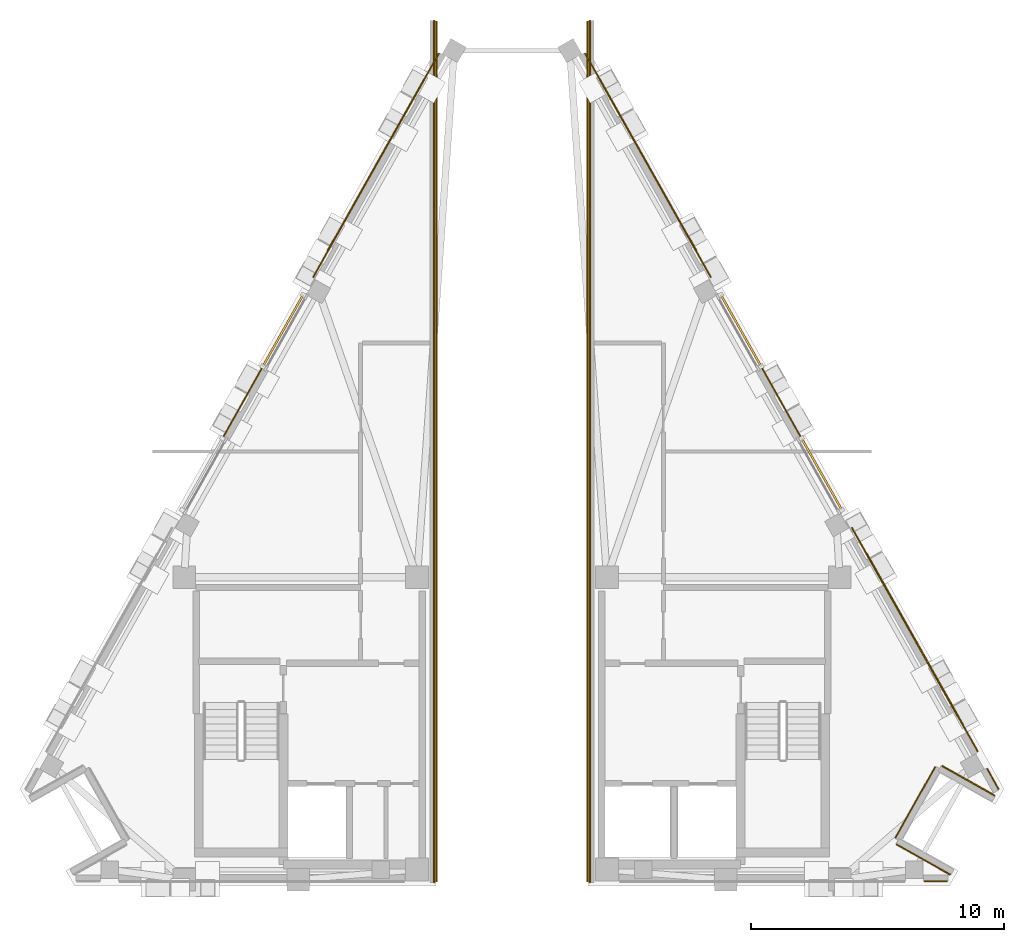
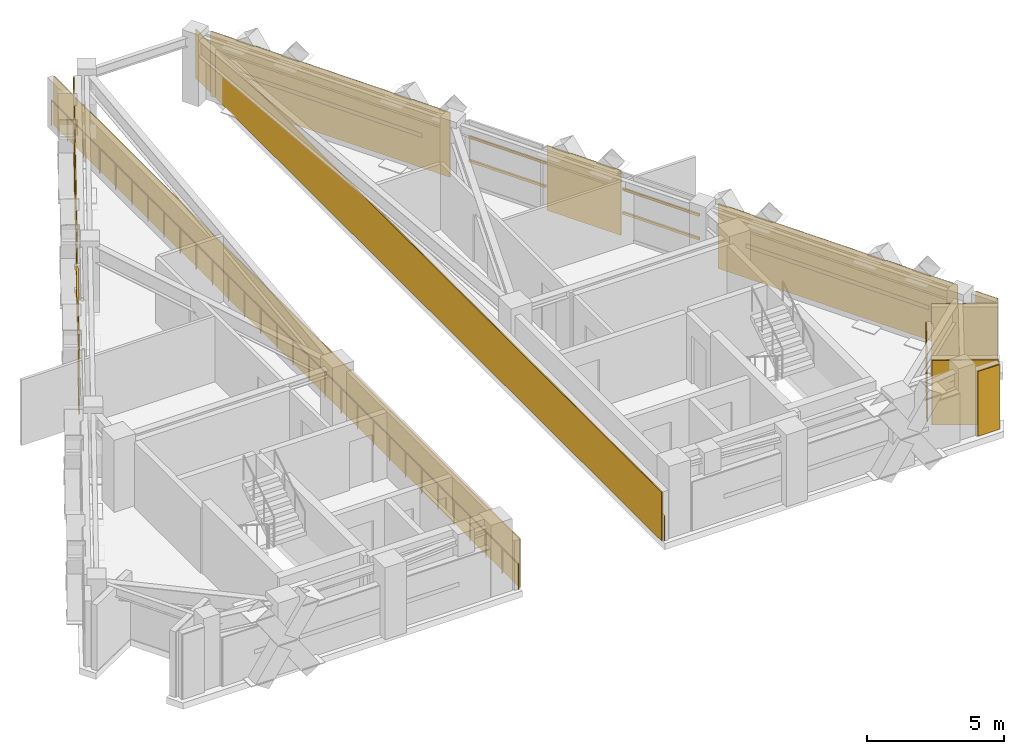
# One storey, part 7 of 7: 12 coverings, 9 shading devices, 2 railings.
"""IFC4 building model written with IfcOpenShell, lengths in metres."""

from ifc_helpers import new_model, si_unit, direction, frame, origin, origin_2d, place, context, subcontext, project, spatial, polyline, rectangle, circle, outline, extrude, material, layer, layer_set, material_profile, profile_set, type_object, element, save


model = new_model("IFC4")

# Units and contexts
model_context = context("Model", 3, precision=1e-05, world=origin(), true_north=direction((0.0, 1.0)))
body_context = subcontext(model_context, "Body", "Model", "MODEL_VIEW")
ifc_project = project(units=[si_unit("LENGTHUNIT", "METRE"), si_unit("AREAUNIT", "SQUARE_METRE"), si_unit("VOLUMEUNIT", "CUBIC_METRE"), si_unit("PLANEANGLEUNIT", "RADIAN"), si_unit("MASSUNIT", "GRAM", prefix="KILO")], contexts=[model_context])

# Site, building, storey
site_placement = place(None, origin())
site = spatial("IfcSite", under=ifc_project, at=site_placement, CompositionType="ELEMENT")
building_placement = place(site_placement, origin())
building = spatial("IfcBuilding", under=site, at=building_placement, Name="Quenlor Broadcast Tower", CompositionType="ELEMENT")
storey_placement = place(building_placement, frame((0.0, 0.0, 274.10009765625)))
storey = spatial("IfcBuildingStorey", under=building, at=storey_placement, Name="L76", CompositionType="ELEMENT", Elevation=274.10009765625)

# Shading devices
ifc_material_1 = material(Name="Architectural Terracotta Ceramic", Category="masonry")
ifc_material_profile_1 = material_profile(ifc_material_1, rectangle(XDim=0.074951171875, YDim=0.110107421875, at=origin_2d()))
ifc_profile_set_1 = profile_set([ifc_material_profile_1], Name="Architectural Terracotta Ceramic BAG75x110")
shading_device_type_1 = type_object("IfcShadingDeviceType", Name="Copper Terracotta Crown Baguette Screen 110", PredefinedType="USERDEFINED", material=ifc_profile_set_1)
for number, where, z_axis, x_axis, name in (
    (1, (8.2529296875, 6.36181640625, 1.051025390625), (0.490261239633, -0.871575537125, 0.0), (0.871575537125, 0.490261239633, 0.0), "L76 Terracotta Baguette Screen 1"),
    (2, (8.2529296875, 6.36181640625, 2.102294921875), (0.490261239633, -0.871575537125, 0.0), (0.871575537125, 0.490261239633, 0.0), "L76 Terracotta Baguette Screen 2"),
):
    element("IfcShadingDevice", number, at=place(storey_placement, frame(where, z_axis=z_axis, x_axis=x_axis)), inside=storey, type_object=shading_device_type_1, Name=name, ObjectType="BAGUETTE", PredefinedType="USERDEFINED", context=body_context, shape_type="SweptSolid", body=[
        extrude(rectangle(XDim=0.074951171875, YDim=0.110107421875, at=origin_2d()), origin(), (0.0, 0.0, 1.0), 3.244873046875),
    ])
for number, where, z_axis, x_axis, name in (
    (3, (11.443115234375, 0.690185546875, 1.051025390625), (0.490293391267, -0.87155745105, 0.0), (0.87155745105, 0.490293391267, 0.0), "L76 Terracotta Baguette Screen 1"),
    (4, (11.443115234375, 0.690185546875, 2.102294921875), (0.490293391267, -0.87155745105, 0.0), (0.87155745105, 0.490293391267, 0.0), "L76 Terracotta Baguette Screen 2"),
):
    element("IfcShadingDevice", number, at=place(storey_placement, frame(where, z_axis=z_axis, x_axis=x_axis)), inside=storey, type_object=shading_device_type_1, Name=name, ObjectType="BAGUETTE", PredefinedType="USERDEFINED", context=body_context, shape_type="SweptSolid", body=[
        extrude(rectangle(XDim=0.074951171875, YDim=0.110107421875, at=origin_2d()), origin(), (0.0, 0.0, 1.0), 3.24462890625),
    ])
for number, where, z_axis, x_axis, name in (
    (5, (-9.84375, 3.53369140625, 1.051025390625), (0.490261239633, 0.871575537125, 0.0), (-0.871575537125, 0.490261239633, 0.0), "L76 Terracotta Baguette Screen 1"),
    (6, (-9.84375, 3.53369140625, 2.102294921875), (0.490261239633, 0.871575537125, 0.0), (-0.871575537125, 0.490261239633, 0.0), "L76 Terracotta Baguette Screen 2"),
):
    element("IfcShadingDevice", number, at=place(storey_placement, frame(where, z_axis=z_axis, x_axis=x_axis)), inside=storey, type_object=shading_device_type_1, Name=name, ObjectType="BAGUETTE", PredefinedType="USERDEFINED", context=body_context, shape_type="SweptSolid", body=[
        extrude(rectangle(XDim=0.074951171875, YDim=0.110107421875, at=origin_2d()), origin(), (0.0, 0.0, 1.0), 3.244873046875),
    ])

# Coverings
ifc_material_2 = material(Name="Architectural Terracotta Ceramic", Category="masonry")
ifc_layer = layer(ifc_material_2, 0.044921875)
ifc_layer_set = layer_set([ifc_layer], Name="Fluted Terracotta Rainscreen Cladding Panel")
covering_type = type_object("IfcCoveringType", Name="Fluted Terracotta Rainscreen Cladding Panel", PredefinedType="CLADDING", material=ifc_layer_set)
covering_1_placement = place(storey_placement, frame((0.0, 0.0, 0.02001953125)))
element("IfcCovering", 7, at=covering_1_placement, inside=storey, type_object=covering_type, Name="L76 Terracotta Rainscreen Cladding L76-SHD-SS0", PredefinedType="CLADDING", context=body_context, shape_type="SweptSolid", body=[
    extrude(outline(polyline([(17.18994140625, -16.787109375), (16.28271484375, -16.787109375), (16.28271484375, -16.83203125), (17.18994140625, -16.83203125), (17.18994140625, -16.787109375)])), origin(), (0.0, 0.0, 1.0), 2.8798828125),
])
covering_2_placement = place(storey_placement, frame((0.0, 0.0, 0.02001953125)))
element("IfcCovering", 8, at=covering_2_placement, inside=storey, type_object=covering_type, Name="L76 Terracotta Rainscreen Cladding L76-SHD-NES1", PredefinedType="CLADDING", context=body_context, shape_type="SweptSolid", body=[
    extrude(outline(polyline([(18.751708984375, -12.37109375), (19.210205078125, -13.185791015625), (19.24951171875, -13.163818359375), (18.791015625, -12.34912109375), (18.751708984375, -12.37109375)])), origin(), (0.0, 0.0, 1.0), 2.8798828125),
])
covering_3_placement = place(storey_placement, frame((0.0, 0.0, 0.02001953125)))
element("IfcCovering", 9, at=covering_3_placement, inside=storey, type_object=covering_type, Name="L76 Terracotta Rainscreen Cladding L76-EW-NEA", PredefinedType="CLADDING", context=body_context, shape_type="SweptSolid", body=[
    extrude(outline(polyline([(2.86279296875, 15.896240234375), (7.84228515625, 7.044189453125), (7.881591796875, 7.066162109375), (2.902099609375, 15.918212890625), (2.86279296875, 15.896240234375)])), origin(), (0.0, 0.0, 1.0), 2.8798828125),
])
covering_4_placement = place(storey_placement, frame((0.0, 0.0, 0.02001953125)))
element("IfcCovering", 10, at=covering_4_placement, inside=storey, type_object=covering_type, Name="L76 Terracotta Rainscreen Cladding L76-EW-NEC", PredefinedType="CLADDING", context=body_context, shape_type="SweptSolid", body=[
    extrude(outline(polyline([(13.40380859375, -2.843017578125), (18.383056640625, -11.695068359375), (18.42236328125, -11.673095703125), (13.443115234375, -2.821044921875), (13.40380859375, -2.843017578125)])), origin(), (0.0, 0.0, 1.0), 2.8798828125),
])
covering_5_placement = place(storey_placement, frame((0.0, 0.0, 0.02001953125)))
element("IfcCovering", 11, at=covering_5_placement, inside=storey, type_object=covering_type, Name="L76 Terracotta Rainscreen Cladding L76-NE-SP1", PredefinedType="CLADDING", context=body_context, shape_type="SweptSolid", body=[
    extrude(outline(polyline([(9.858154296875, 3.46044921875), (11.387939453125, 0.74072265625), (11.427001953125, 0.7626953125), (9.8974609375, 3.482421875), (9.858154296875, 3.46044921875)])), origin(), (0.0, 0.0, 1.0), 2.8798828125),
])
covering_6_placement = place(storey_placement, frame((0.0, 0.0, 0.02001953125)))
element("IfcCovering", 12, at=covering_6_placement, inside=storey, type_object=covering_type, Name="L76 Terracotta Rainscreen Cladding L76-EW-NWC", PredefinedType="CLADDING", context=body_context, shape_type="SweptSolid", body=[
    extrude(outline(polyline([(-7.84228515625, 7.044189453125), (-2.86279296875, 15.896240234375), (-2.902099609375, 15.918212890625), (-7.881591796875, 7.066162109375), (-7.84228515625, 7.044189453125)])), origin(), (0.0, 0.0, 1.0), 2.8798828125),
])
covering_7_placement = place(storey_placement, frame((0.0, 0.0, 0.02001953125)))
element("IfcCovering", 13, at=covering_7_placement, inside=storey, type_object=covering_type, Name="L76 Terracotta Rainscreen Cladding L76-NW-SP1", PredefinedType="CLADDING", context=body_context, shape_type="SweptSolid", body=[
    extrude(outline(polyline([(-11.387939453125, 0.74072265625), (-9.858154296875, 3.46044921875), (-9.8974609375, 3.482421875), (-11.427001953125, 0.7626953125), (-11.387939453125, 0.74072265625)])), origin(), (0.0, 0.0, 1.0), 2.8798828125),
])
covering_8_placement = place(storey_placement, frame((0.0, 0.0, 0.02001953125)))
element("IfcCovering", 14, at=covering_8_placement, inside=storey, type_object=covering_type, Name="L76 Terracotta Rainscreen Cladding L76-CNR-01", PredefinedType="CLADDING", context=body_context, shape_type="SweptSolid", body=[
    extrude(outline(polyline([(17.32666015625, -16.529541015625), (15.199951171875, -15.333251953125), (15.177978515625, -15.372314453125), (17.3046875, -16.568603515625), (17.32666015625, -16.529541015625)])), origin(), (0.0, 0.0, 1.0), 2.8798828125),
])
covering_9_placement = place(storey_placement, frame((0.0, 0.0, 0.02001953125)))
element("IfcCovering", 15, at=covering_9_placement, inside=storey, type_object=covering_type, Name="L76 Terracotta Rainscreen Cladding L76-CNR-02", PredefinedType="CLADDING", context=body_context, shape_type="SweptSolid", body=[
    extrude(outline(polyline([(15.16552734375, -15.10498046875), (16.7421875, -12.302001953125), (16.702880859375, -12.280029296875), (15.126220703125, -15.0830078125), (15.16552734375, -15.10498046875)])), origin(), (0.0, 0.0, 1.0), 2.163818359375),
])
covering_10_placement = place(storey_placement, frame((0.0, 0.0, 0.02001953125)))
element("IfcCovering", 16, at=covering_10_placement, inside=storey, type_object=covering_type, Name="L76 Terracotta Rainscreen Cladding L76-CNR-03", PredefinedType="CLADDING", context=body_context, shape_type="SweptSolid", body=[
    extrude(outline(polyline([(16.970458984375, -12.267578125), (19.062255859375, -13.444091796875), (19.084228515625, -13.405029296875), (16.992431640625, -12.228271484375), (16.970458984375, -12.267578125)])), origin(), (0.0, 0.0, 1.0), 2.8798828125),
])
covering_11_placement = place(storey_placement, frame((0.0, 0.0, 0.02001953125)))
element("IfcCovering", 17, at=covering_11_placement, inside=storey, type_object=covering_type, Name="L76 Terracotta Rainscreen Cladding L76-WP-CHKW", PredefinedType="CLADDING", context=body_context, shape_type="SweptSolid", body=[
    extrude(outline(polyline([(-3.008056640625, 17.169921875), (-3.008056640625, -16.820068359375), (-2.962890625, -16.820068359375), (-2.962890625, 17.169921875), (-3.008056640625, 17.169921875)])), origin(), (0.0, 0.0, 1.0), 2.163818359375),
])
covering_12_placement = place(storey_placement, frame((0.0, 0.0, 0.02001953125)))
element("IfcCovering", 18, at=covering_12_placement, inside=storey, type_object=covering_type, Name="L76 Terracotta Rainscreen Cladding L76-WP-CHKE", PredefinedType="CLADDING", context=body_context, shape_type="SweptSolid", body=[
    extrude(outline(polyline([(3.008056640625, -16.820068359375), (3.008056640625, 17.169921875), (2.962890625, 17.169921875), (2.962890625, -16.820068359375), (3.008056640625, -16.820068359375)])), origin(), (0.0, 0.0, 1.0), 2.163818359375),
])

# Railings
ifc_material_3 = material(Name="Anodised Aluminium", Category="aluminium")
railing_type = type_object("IfcRailingType", Name="Laminated Glass and Steel Perimeter Balustrade 1150", PredefinedType="BALUSTRADE", material=ifc_material_3)
railing_1_placement = place(storey_placement, frame((-3.080078125, -16.85009765625, 0.0)))
element("IfcRailing", 19, at=railing_1_placement, inside=storey, type_object=railing_type, Name="L76 Wind Portal West Edge Balustrade", PredefinedType="BALUSTRADE", context=body_context, shape_type="SweptSolid", body=[
    extrude(circle(Radius=0.02392578125, at=origin_2d()), frame((0.0, 0.0, 1.1259765625), z_axis=(0.0, 1.0, 0.0), x_axis=(-1.0, 0.0, 0.0)), (0.0, 0.0, 1.0), 34.050048828125),
    extrude(circle(Radius=0.02099609375, at=origin_2d()), origin(), (0.0, 0.0, 1.0), 1.101806640625),
    extrude(circle(Radius=0.02099609375, at=origin_2d()), frame((0.0, 1.174072265625, 0.0)), (0.0, 0.0, 1.0), 1.101806640625),
    extrude(circle(Radius=0.02099609375, at=origin_2d()), frame((0.0, 2.348388671875, 0.0)), (0.0, 0.0, 1.0), 1.101806640625),
    extrude(circle(Radius=0.02099609375, at=origin_2d()), frame((0.0, 3.5224609375, 0.0)), (0.0, 0.0, 1.0), 1.101806640625),
    extrude(circle(Radius=0.02099609375, at=origin_2d()), frame((0.0, 4.696533203125, 0.0)), (0.0, 0.0, 1.0), 1.101806640625),
    extrude(circle(Radius=0.02099609375, at=origin_2d()), frame((0.0, 5.87060546875, 0.0)), (0.0, 0.0, 1.0), 1.101806640625),
    extrude(circle(Radius=0.02099609375, at=origin_2d()), frame((0.0, 7.044921875, 0.0)), (0.0, 0.0, 1.0), 1.101806640625),
    extrude(circle(Radius=0.02099609375, at=origin_2d()), frame((0.0, 8.218994140625, 0.0)), (0.0, 0.0, 1.0), 1.101806640625),
    extrude(circle(Radius=0.02099609375, at=origin_2d()), frame((0.0, 9.39306640625, 0.0)), (0.0, 0.0, 1.0), 1.101806640625),
    extrude(circle(Radius=0.02099609375, at=origin_2d()), frame((0.0, 10.567138671875, 0.0)), (0.0, 0.0, 1.0), 1.101806640625),
    extrude(circle(Radius=0.02099609375, at=origin_2d()), frame((0.0, 11.741455078125, 0.0)), (0.0, 0.0, 1.0), 1.101806640625),
    extrude(circle(Radius=0.02099609375, at=origin_2d()), frame((0.0, 12.91552734375, 0.0)), (0.0, 0.0, 1.0), 1.101806640625),
    extrude(circle(Radius=0.02099609375, at=origin_2d()), frame((0.0, 14.089599609375, 0.0)), (0.0, 0.0, 1.0), 1.101806640625),
    extrude(circle(Radius=0.02099609375, at=origin_2d()), frame((0.0, 15.263916015625, 0.0)), (0.0, 0.0, 1.0), 1.101806640625),
    extrude(circle(Radius=0.02099609375, at=origin_2d()), frame((0.0, 16.43798828125, 0.0)), (0.0, 0.0, 1.0), 1.101806640625),
    extrude(circle(Radius=0.02099609375, at=origin_2d()), frame((0.0, 17.612060546875, 0.0)), (0.0, 0.0, 1.0), 1.101806640625),
    extrude(circle(Radius=0.02099609375, at=origin_2d()), frame((0.0, 18.7861328125, 0.0)), (0.0, 0.0, 1.0), 1.101806640625),
    extrude(circle(Radius=0.02099609375, at=origin_2d()), frame((0.0, 19.96044921875, 0.0)), (0.0, 0.0, 1.0), 1.101806640625),
    extrude(circle(Radius=0.02099609375, at=origin_2d()), frame((0.0, 21.134521484375, 0.0)), (0.0, 0.0, 1.0), 1.101806640625),
    extrude(circle(Radius=0.02099609375, at=origin_2d()), frame((0.0, 22.30859375, 0.0)), (0.0, 0.0, 1.0), 1.101806640625),
    extrude(circle(Radius=0.02099609375, at=origin_2d()), frame((0.0, 23.48291015625, 0.0)), (0.0, 0.0, 1.0), 1.101806640625),
    extrude(circle(Radius=0.02099609375, at=origin_2d()), frame((0.0, 24.656982421875, 0.0)), (0.0, 0.0, 1.0), 1.101806640625),
    extrude(circle(Radius=0.02099609375, at=origin_2d()), frame((0.0, 25.8310546875, 0.0)), (0.0, 0.0, 1.0), 1.101806640625),
    extrude(circle(Radius=0.02099609375, at=origin_2d()), frame((0.0, 27.005126953125, 0.0)), (0.0, 0.0, 1.0), 1.101806640625),
    extrude(circle(Radius=0.02099609375, at=origin_2d()), frame((0.0, 28.179443359375, 0.0)), (0.0, 0.0, 1.0), 1.101806640625),
    extrude(circle(Radius=0.02099609375, at=origin_2d()), frame((0.0, 29.353515625, 0.0)), (0.0, 0.0, 1.0), 1.101806640625),
    extrude(circle(Radius=0.02099609375, at=origin_2d()), frame((0.0, 30.527587890625, 0.0)), (0.0, 0.0, 1.0), 1.101806640625),
    extrude(circle(Radius=0.02099609375, at=origin_2d()), frame((0.0, 31.70166015625, 0.0)), (0.0, 0.0, 1.0), 1.101806640625),
    extrude(circle(Radius=0.02099609375, at=origin_2d()), frame((0.0, 32.8759765625, 0.0)), (0.0, 0.0, 1.0), 1.101806640625),
    extrude(circle(Radius=0.02099609375, at=origin_2d()), frame((0.0, 34.050048828125, 0.0)), (0.0, 0.0, 1.0), 1.101806640625),
])
railing_2_placement = place(storey_placement, frame((3.080078125, -16.85009765625, 0.0)))
element("IfcRailing", 20, at=railing_2_placement, inside=storey, type_object=railing_type, Name="L76 Wind Portal East Edge Balustrade", PredefinedType="BALUSTRADE", context=body_context, shape_type="SweptSolid", body=[
    extrude(circle(Radius=0.02392578125, at=origin_2d()), frame((0.0, 0.0, 1.1259765625), z_axis=(0.0, 1.0, 0.0), x_axis=(-1.0, 0.0, 0.0)), (0.0, 0.0, 1.0), 34.050048828125),
    extrude(circle(Radius=0.02099609375, at=origin_2d()), origin(), (0.0, 0.0, 1.0), 1.101806640625),
    extrude(circle(Radius=0.02099609375, at=origin_2d()), frame((0.0, 1.174072265625, 0.0)), (0.0, 0.0, 1.0), 1.101806640625),
    extrude(circle(Radius=0.02099609375, at=origin_2d()), frame((0.0, 2.348388671875, 0.0)), (0.0, 0.0, 1.0), 1.101806640625),
    extrude(circle(Radius=0.02099609375, at=origin_2d()), frame((0.0, 3.5224609375, 0.0)), (0.0, 0.0, 1.0), 1.101806640625),
    extrude(circle(Radius=0.02099609375, at=origin_2d()), frame((0.0, 4.696533203125, 0.0)), (0.0, 0.0, 1.0), 1.101806640625),
    extrude(circle(Radius=0.02099609375, at=origin_2d()), frame((0.0, 5.87060546875, 0.0)), (0.0, 0.0, 1.0), 1.101806640625),
    extrude(circle(Radius=0.02099609375, at=origin_2d()), frame((0.0, 7.044921875, 0.0)), (0.0, 0.0, 1.0), 1.101806640625),
    extrude(circle(Radius=0.02099609375, at=origin_2d()), frame((0.0, 8.218994140625, 0.0)), (0.0, 0.0, 1.0), 1.101806640625),
    extrude(circle(Radius=0.02099609375, at=origin_2d()), frame((0.0, 9.39306640625, 0.0)), (0.0, 0.0, 1.0), 1.101806640625),
    extrude(circle(Radius=0.02099609375, at=origin_2d()), frame((0.0, 10.567138671875, 0.0)), (0.0, 0.0, 1.0), 1.101806640625),
    extrude(circle(Radius=0.02099609375, at=origin_2d()), frame((0.0, 11.741455078125, 0.0)), (0.0, 0.0, 1.0), 1.101806640625),
    extrude(circle(Radius=0.02099609375, at=origin_2d()), frame((0.0, 12.91552734375, 0.0)), (0.0, 0.0, 1.0), 1.101806640625),
    extrude(circle(Radius=0.02099609375, at=origin_2d()), frame((0.0, 14.089599609375, 0.0)), (0.0, 0.0, 1.0), 1.101806640625),
    extrude(circle(Radius=0.02099609375, at=origin_2d()), frame((0.0, 15.263916015625, 0.0)), (0.0, 0.0, 1.0), 1.101806640625),
    extrude(circle(Radius=0.02099609375, at=origin_2d()), frame((0.0, 16.43798828125, 0.0)), (0.0, 0.0, 1.0), 1.101806640625),
    extrude(circle(Radius=0.02099609375, at=origin_2d()), frame((0.0, 17.612060546875, 0.0)), (0.0, 0.0, 1.0), 1.101806640625),
    extrude(circle(Radius=0.02099609375, at=origin_2d()), frame((0.0, 18.7861328125, 0.0)), (0.0, 0.0, 1.0), 1.101806640625),
    extrude(circle(Radius=0.02099609375, at=origin_2d()), frame((0.0, 19.96044921875, 0.0)), (0.0, 0.0, 1.0), 1.101806640625),
    extrude(circle(Radius=0.02099609375, at=origin_2d()), frame((0.0, 21.134521484375, 0.0)), (0.0, 0.0, 1.0), 1.101806640625),
    extrude(circle(Radius=0.02099609375, at=origin_2d()), frame((0.0, 22.30859375, 0.0)), (0.0, 0.0, 1.0), 1.101806640625),
    extrude(circle(Radius=0.02099609375, at=origin_2d()), frame((0.0, 23.48291015625, 0.0)), (0.0, 0.0, 1.0), 1.101806640625),
    extrude(circle(Radius=0.02099609375, at=origin_2d()), frame((0.0, 24.656982421875, 0.0)), (0.0, 0.0, 1.0), 1.101806640625),
    extrude(circle(Radius=0.02099609375, at=origin_2d()), frame((0.0, 25.8310546875, 0.0)), (0.0, 0.0, 1.0), 1.101806640625),
    extrude(circle(Radius=0.02099609375, at=origin_2d()), frame((0.0, 27.005126953125, 0.0)), (0.0, 0.0, 1.0), 1.101806640625),
    extrude(circle(Radius=0.02099609375, at=origin_2d()), frame((0.0, 28.179443359375, 0.0)), (0.0, 0.0, 1.0), 1.101806640625),
    extrude(circle(Radius=0.02099609375, at=origin_2d()), frame((0.0, 29.353515625, 0.0)), (0.0, 0.0, 1.0), 1.101806640625),
    extrude(circle(Radius=0.02099609375, at=origin_2d()), frame((0.0, 30.527587890625, 0.0)), (0.0, 0.0, 1.0), 1.101806640625),
    extrude(circle(Radius=0.02099609375, at=origin_2d()), frame((0.0, 31.70166015625, 0.0)), (0.0, 0.0, 1.0), 1.101806640625),
    extrude(circle(Radius=0.02099609375, at=origin_2d()), frame((0.0, 32.8759765625, 0.0)), (0.0, 0.0, 1.0), 1.101806640625),
    extrude(circle(Radius=0.02099609375, at=origin_2d()), frame((0.0, 34.050048828125, 0.0)), (0.0, 0.0, 1.0), 1.101806640625),
])

# Shading devices
ifc_material_4 = material(Name="Architectural Terracotta Ceramic", Category="masonry")
ifc_material_profile_2 = material_profile(ifc_material_4, rectangle(XDim=0.06005859375, YDim=0.179931640625, at=origin_2d()))
ifc_profile_set_2 = profile_set([ifc_material_profile_2], Name="Architectural Terracotta Ceramic LVR60x180")
shading_device_type_2 = type_object("IfcShadingDeviceType", Name="Terracotta Acoustic Plant Weather Louvre 180", PredefinedType="JALOUSIE", material=ifc_profile_set_2)
shading_device_1_placement = place(storey_placement, frame((3.471923828125, 14.866455078125, 1.4599609375), z_axis=(0.490262732485, -0.871574697393, 0.0), x_axis=(0.871574697393, 0.490262732485, 0.0)))
element("IfcShadingDevice", 21, at=shading_device_1_placement, inside=storey, type_object=shading_device_type_2, Name="L76 Plant Weather Louvre L76-LV-NEA", PredefinedType="JALOUSIE", context=body_context, shape_type="SweptSolid", body=[
    extrude(rectangle(XDim=0.06005859375, YDim=0.179931640625, at=origin_2d()), origin(), (0.0, 0.0, 1.0), 7.764404296875),
])
shading_device_2_placement = place(storey_placement, frame((14.0126953125, -3.872802734375, 1.4599609375), z_axis=(0.490276168503, -0.871567139467, 0.0), x_axis=(0.871567139467, 0.490276168503, 0.0)))
element("IfcShadingDevice", 22, at=shading_device_2_placement, inside=storey, type_object=shading_device_type_2, Name="L76 Plant Weather Louvre L76-LV-NEC", PredefinedType="JALOUSIE", context=body_context, shape_type="SweptSolid", body=[
    extrude(rectangle(XDim=0.06005859375, YDim=0.179931640625, at=origin_2d()), origin(), (0.0, 0.0, 1.0), 7.76416015625),
])
shading_device_3_placement = place(storey_placement, frame((-7.278564453125, 8.09912109375, 1.4599609375), z_axis=(0.490262732485, 0.871574697393, 0.0), x_axis=(-0.871574697393, 0.490262732485, 0.0)))
element("IfcShadingDevice", 23, at=shading_device_3_placement, inside=storey, type_object=shading_device_type_2, Name="L76 Plant Weather Louvre L76-LV-NWC", PredefinedType="JALOUSIE", context=body_context, shape_type="SweptSolid", body=[
    extrude(rectangle(XDim=0.06005859375, YDim=0.179931640625, at=origin_2d()), origin(), (0.0, 0.0, 1.0), 7.764404296875),
])

save(model, "model.ifc")
